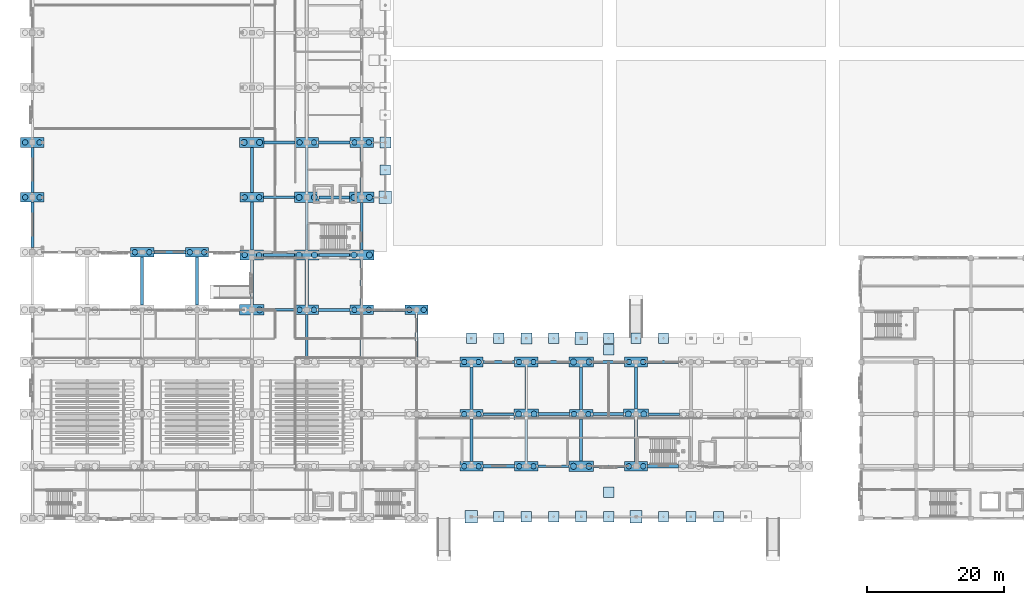
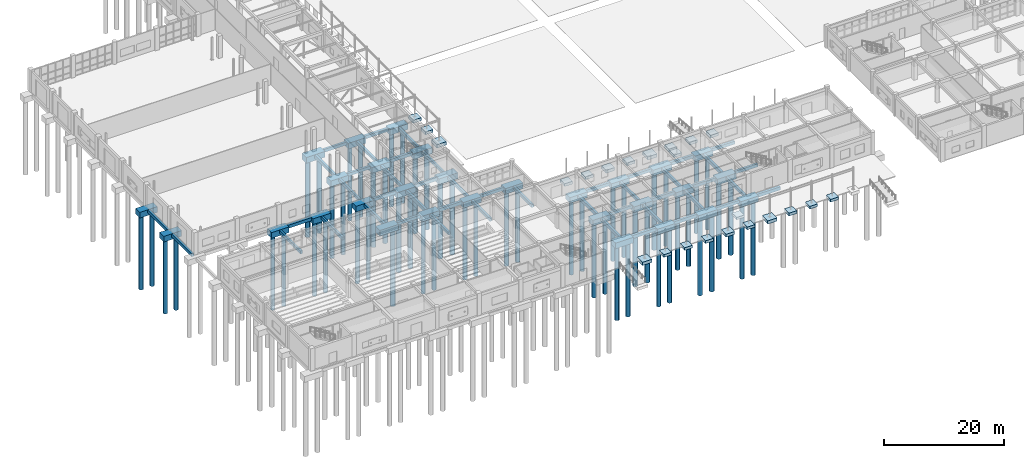
# One storey, part 2 of 166: 98 footings, 57 piles.
"""IFC4 building model written with IfcOpenShell, lengths in metres."""

from ifc_helpers import new_model, si_unit, direction, frame, origin, origin_2d, place, context, subcontext, project, spatial, rectangle, circle, extrude, material, material_profile, profile_set, type_object, element, save


model = new_model("IFC4")

# Units and contexts
model_context = context("Model", 3, precision=1e-05, world=origin(), true_north=direction((0.0, 1.0)))
body_context = subcontext(model_context, "Body", "Model", "MODEL_VIEW")
ifc_project = project(units=[si_unit("LENGTHUNIT", "METRE"), si_unit("AREAUNIT", "SQUARE_METRE"), si_unit("VOLUMEUNIT", "CUBIC_METRE"), si_unit("PLANEANGLEUNIT", "RADIAN"), si_unit("MASSUNIT", "GRAM", prefix="KILO")], contexts=[model_context])

# Site, building, storey
site_placement = place(None, origin())
site = spatial("IfcSite", under=ifc_project, at=site_placement, CompositionType="ELEMENT")
building_placement = place(site_placement, origin())
building = spatial("IfcBuilding", under=site, at=building_placement, Name="Kharva Crest Polytechnic", CompositionType="ELEMENT")
storey_placement = place(building_placement, origin())
storey = spatial("IfcBuildingStorey", under=building, at=storey_placement, Name="L00", CompositionType="ELEMENT", Elevation=0.0)

# Footings
ifc_material = material(Name="Concrete C35/45", Category="concrete")
footing_type_1 = type_object("IfcFootingType", Name="FTG-GB-400X600", PredefinedType="FOOTING_BEAM", material=ifc_material)
for number, where, z_axis, x_axis, name in (
    (1, (84.050048828125, 7.60009765625, -1.005126953125), (0.0, 0.0, 1.0), (1.0, 0.0, 0.0), "L00 Ground Tie Beam B/11-12"),
    (2, (67.949951171875, 15.199951171875, -1.005126953125), (0.0, 0.0, 1.0), (1.0, 0.0, 0.0), "L00 Ground Tie Beam C/9-10"),
    (3, (92.050048828125, 15.199951171875, -1.005126953125), (0.0, 0.0, 1.0), (1.0, 0.0, 0.0), "L00 Ground Tie Beam C/12-13"),
    (4, (75.949951171875, 22.800048828125, -1.005126953125), (0.0, 0.0, 1.0), (1.0, 0.0, 0.0), "L00 Ground Tie Beam D/10-11"),
    (5, (36.050048828125, 30.39990234375, -1.005126953125), (0.0, 0.0, 1.0), (1.0, 0.0, 0.0), "L00 Ground Tie Beam E/5-6"),
    (6, (35.949951171875, 38.39990234375, -1.005126953125), (0.0, 0.0, 1.0), (1.0, 0.0, 0.0), "L00 Ground Tie Beam F/5-6"),
    (7, (35.949951171875, 46.800048828125, -1.005126953125), (0.0, 0.0, 1.0), (1.0, 0.0, 0.0), "L00 Ground Tie Beam G/5-6"),
    (8, (36.050048828125, 54.800048828125, -1.005126953125), (0.0, 0.0, 1.0), (1.0, 0.0, 0.0), "L00 Ground Tie Beam H/5-6"),
):
    element("IfcFooting", number, at=place(storey_placement, frame(where, z_axis=z_axis, x_axis=x_axis)), inside=storey, type_object=footing_type_1, Name=name, PredefinedType="FOOTING_BEAM", context=body_context, shape_type="SweptSolid", body=[
        extrude(rectangle(XDim=4.5, YDim=0.39990234375, at=origin_2d()), origin(), (0.0, 0.0, 1.0), 0.60009765625),
    ])
for number, where, z_axis, x_axis, name in (
    (9, (16.0, 34.60009765625, -1.005126953125), (0.0, 0.0, 1.0), (0.0, 1.0, 0.0), "L00 Ground Tie Beam 3/E-FJ"),
    (10, (24.0, 34.60009765625, -1.005126953125), (0.0, 0.0, 1.0), (0.0, 1.0, 0.0), "L00 Ground Tie Beam 4/E-FJ"),
    (11, (32.0, 42.60009765625, -1.005126953125), (0.0, 0.0, 1.0), (0.0, 1.0, 0.0), "L00 Ground Tie Beam 5/F-G"),
):
    element("IfcFooting", number, at=place(storey_placement, frame(where, z_axis=z_axis, x_axis=x_axis)), inside=storey, type_object=footing_type_1, Name=name, PredefinedType="FOOTING_BEAM", context=body_context, shape_type="SweptSolid", body=[
        extrude(rectangle(XDim=7.0, YDim=0.39990234375, at=origin_2d()), origin(), (0.0, 0.0, 1.0), 0.60009765625),
    ])
footing_1_placement = place(storey_placement, frame((40.0, 26.625, -1.005126953125), z_axis=(0.0, 0.0, 1.0), x_axis=(0.0, 1.0, 0.0)))
element("IfcFooting", 12, at=footing_1_placement, inside=storey, type_object=footing_type_1, Name="L00 Ground Tie Beam 6/D-E", PredefinedType="FOOTING_BEAM", context=body_context, shape_type="SweptSolid", body=[
    extrude(rectangle(XDim=6.14990234375, YDim=0.39990234375, at=origin_2d()), origin(), (0.0, 0.0, 1.0), 0.60009765625),
])
footing_2_placement = place(storey_placement, frame((40.0, 50.824951171875, -1.005126953125), z_axis=(0.0, 0.0, 1.0), x_axis=(0.0, 1.0, 0.0)))
element("IfcFooting", 13, at=footing_2_placement, inside=storey, type_object=footing_type_1, Name="L00 Ground Tie Beam 6/G-H", PredefinedType="FOOTING_BEAM", context=body_context, shape_type="SweptSolid", body=[
    extrude(rectangle(XDim=6.550048828125, YDim=0.39990234375, at=origin_2d()), origin(), (0.0, 0.0, 1.0), 0.60009765625),
])
footing_3_placement = place(storey_placement, frame((48.0, 42.60009765625, -1.005126953125), z_axis=(0.0, 0.0, 1.0), x_axis=(0.0, 1.0, 0.0)))
element("IfcFooting", 14, at=footing_3_placement, inside=storey, type_object=footing_type_1, Name="L00 Ground Tie Beam 7/F-G", PredefinedType="FOOTING_BEAM", context=body_context, shape_type="SweptSolid", body=[
    extrude(rectangle(XDim=6.89990234375, YDim=0.39990234375, at=origin_2d()), origin(), (0.0, 0.0, 1.0), 0.60009765625),
])
footing_4_placement = place(storey_placement, frame((64.0, 11.39990234375, -1.005126953125), z_axis=(0.0, 0.0, 1.0), x_axis=(0.0, 1.0, 0.0)))
element("IfcFooting", 15, at=footing_4_placement, inside=storey, type_object=footing_type_1, Name="L00 Ground Tie Beam 9/B-C", PredefinedType="FOOTING_BEAM", context=body_context, shape_type="SweptSolid", body=[
    extrude(rectangle(XDim=6.199951171875, YDim=0.39990234375, at=origin_2d()), origin(), (0.0, 0.0, 1.0), 0.60009765625),
])
for number, where, z_axis, x_axis, name in (
    (16, (72.0, 19.02490234375, -1.005126953125), (0.0, 0.0, 1.0), (0.0, 1.0, 0.0), "L00 Ground Tie Beam 10/C-D"),
    (17, (88.0, 11.375, -1.005126953125), (0.0, 0.0, 1.0), (0.0, 1.0, 0.0), "L00 Ground Tie Beam 12/B-C"),
):
    element("IfcFooting", number, at=place(storey_placement, frame(where, z_axis=z_axis, x_axis=x_axis)), inside=storey, type_object=footing_type_1, Name=name, PredefinedType="FOOTING_BEAM", context=body_context, shape_type="SweptSolid", body=[
        extrude(rectangle(XDim=6.14990234375, YDim=0.39990234375, at=origin_2d()), origin(), (0.0, 0.0, 1.0), 0.60009765625),
    ])
footing_type_2 = type_object("IfcFootingType", Name="FTG-GB-420X620", PredefinedType="FOOTING_BEAM", material=ifc_material)
for number, where, z_axis, x_axis, name in (
    (18, (75.949951171875, 7.60009765625, -1.025146484375), (0.0, 0.0, 1.0), (1.0, 0.0, 0.0), "L00 Ground Tie Beam B/10-11"),
    (19, (83.949951171875, 15.199951171875, -1.025146484375), (0.0, 0.0, 1.0), (1.0, 0.0, 0.0), "L00 Ground Tie Beam C/11-12"),
):
    element("IfcFooting", number, at=place(storey_placement, frame(where, z_axis=z_axis, x_axis=x_axis)), inside=storey, type_object=footing_type_2, Name=name, PredefinedType="FOOTING_BEAM", context=body_context, shape_type="SweptSolid", body=[
        extrude(rectangle(XDim=4.5, YDim=0.419921875, at=origin_2d()), origin(), (0.0, 0.0, 1.0), 0.6201171875),
    ])
footing_5_placement = place(storey_placement, frame((68.0, 22.800048828125, -1.025146484375), z_axis=(0.0, 0.0, 1.0), x_axis=(1.0, 0.0, 0.0)))
element("IfcFooting", 20, at=footing_5_placement, inside=storey, type_object=footing_type_2, Name="L00 Ground Tie Beam D/9-10", PredefinedType="FOOTING_BEAM", context=body_context, shape_type="SweptSolid", body=[
    extrude(rectangle(XDim=4.60009765625, YDim=0.419921875, at=origin_2d()), origin(), (0.0, 0.0, 1.0), 0.6201171875),
])
footing_6_placement = place(storey_placement, frame((91.949951171875, 22.800048828125, -1.025146484375), z_axis=(0.0, 0.0, 1.0), x_axis=(1.0, 0.0, 0.0)))
element("IfcFooting", 21, at=footing_6_placement, inside=storey, type_object=footing_type_2, Name="L00 Ground Tie Beam D/12-13", PredefinedType="FOOTING_BEAM", context=body_context, shape_type="SweptSolid", body=[
    extrude(rectangle(XDim=4.5, YDim=0.419921875, at=origin_2d()), origin(), (0.0, 0.0, 1.0), 0.6201171875),
])
footing_7_placement = place(storey_placement, frame((52.0, 30.39990234375, -1.025146484375), z_axis=(0.0, 0.0, 1.0), x_axis=(1.0, 0.0, 0.0)))
element("IfcFooting", 22, at=footing_7_placement, inside=storey, type_object=footing_type_2, Name="L00 Ground Tie Beam E/7-8", PredefinedType="FOOTING_BEAM", context=body_context, shape_type="SweptSolid", body=[
    extrude(rectangle(XDim=4.60009765625, YDim=0.419921875, at=origin_2d()), origin(), (0.0, 0.0, 1.0), 0.6201171875),
])
footing_8_placement = place(storey_placement, frame((0.0, 50.800048828125, -1.025146484375), z_axis=(0.0, 0.0, 1.0), x_axis=(0.0, 1.0, 0.0)))
element("IfcFooting", 23, at=footing_8_placement, inside=storey, type_object=footing_type_2, Name="L00 Ground Tie Beam 1/G-H", PredefinedType="FOOTING_BEAM", context=body_context, shape_type="SweptSolid", body=[
    extrude(rectangle(XDim=6.60009765625, YDim=0.419921875, at=origin_2d()), origin(), (0.0, 0.0, 1.0), 0.6201171875),
])
footing_9_placement = place(storey_placement, frame((32.0, 34.425048828125, -1.025146484375), z_axis=(0.0, 0.0, 1.0), x_axis=(0.0, 1.0, 0.0)))
element("IfcFooting", 24, at=footing_9_placement, inside=storey, type_object=footing_type_2, Name="L00 Ground Tie Beam 5/E-F", PredefinedType="FOOTING_BEAM", context=body_context, shape_type="SweptSolid", body=[
    extrude(rectangle(XDim=6.550048828125, YDim=0.419921875, at=origin_2d()), origin(), (0.0, 0.0, 1.0), 0.6201171875),
])
footing_10_placement = place(storey_placement, frame((40.0, 42.60009765625, -1.025146484375), z_axis=(0.0, 0.0, 1.0), x_axis=(0.0, 1.0, 0.0)))
element("IfcFooting", 25, at=footing_10_placement, inside=storey, type_object=footing_type_2, Name="L00 Ground Tie Beam 6/F-G", PredefinedType="FOOTING_BEAM", context=body_context, shape_type="SweptSolid", body=[
    extrude(rectangle(XDim=6.89990234375, YDim=0.419921875, at=origin_2d()), origin(), (0.0, 0.0, 1.0), 0.6201171875),
])
footing_11_placement = place(storey_placement, frame((48.0, 34.375, -1.025146484375), z_axis=(0.0, 0.0, 1.0), x_axis=(0.0, 1.0, 0.0)))
element("IfcFooting", 26, at=footing_11_placement, inside=storey, type_object=footing_type_2, Name="L00 Ground Tie Beam 7/E-F", PredefinedType="FOOTING_BEAM", context=body_context, shape_type="SweptSolid", body=[
    extrude(rectangle(XDim=6.550048828125, YDim=0.419921875, at=origin_2d()), origin(), (0.0, 0.0, 1.0), 0.6201171875),
])
for number, where, z_axis, x_axis, name in (
    (27, (56.0, 26.625, -1.025146484375), (0.0, 0.0, 1.0), (0.0, 1.0, 0.0), "L00 Ground Tie Beam 8/D-E"),
    (28, (72.0, 11.375, -1.025146484375), (0.0, 0.0, 1.0), (0.0, 1.0, 0.0), "L00 Ground Tie Beam 10/B-C"),
    (29, (80.0, 18.97509765625, -1.025146484375), (0.0, 0.0, 1.0), (0.0, 1.0, 0.0), "L00 Ground Tie Beam 11/C-D"),
):
    element("IfcFooting", number, at=place(storey_placement, frame(where, z_axis=z_axis, x_axis=x_axis)), inside=storey, type_object=footing_type_2, Name=name, PredefinedType="FOOTING_BEAM", context=body_context, shape_type="SweptSolid", body=[
        extrude(rectangle(XDim=6.14990234375, YDim=0.419921875, at=origin_2d()), origin(), (0.0, 0.0, 1.0), 0.6201171875),
    ])
footing_type_3 = type_object("IfcFootingType", Name="FTG-GB-450X650", PredefinedType="FOOTING_BEAM", material=ifc_material)
footing_12_placement = place(storey_placement, frame((68.0, 7.60009765625, -1.054931640625), z_axis=(0.0, 0.0, 1.0), x_axis=(1.0, 0.0, 0.0)))
element("IfcFooting", 30, at=footing_12_placement, inside=storey, type_object=footing_type_3, Name="L00 Ground Tie Beam B/9-10", PredefinedType="FOOTING_BEAM", context=body_context, shape_type="SweptSolid", body=[
    extrude(rectangle(XDim=4.60009765625, YDim=0.449951171875, at=origin_2d()), origin(), (0.0, 0.0, 1.0), 0.64990234375),
])
for number, where, z_axis, x_axis, name in (
    (31, (91.949951171875, 7.60009765625, -1.054931640625), (0.0, 0.0, 1.0), (1.0, 0.0, 0.0), "L00 Ground Tie Beam B/12-13"),
    (32, (76.050048828125, 15.199951171875, -1.054931640625), (0.0, 0.0, 1.0), (1.0, 0.0, 0.0), "L00 Ground Tie Beam C/10-11"),
    (33, (84.050048828125, 22.800048828125, -1.054931640625), (0.0, 0.0, 1.0), (1.0, 0.0, 0.0), "L00 Ground Tie Beam D/11-12"),
):
    element("IfcFooting", number, at=place(storey_placement, frame(where, z_axis=z_axis, x_axis=x_axis)), inside=storey, type_object=footing_type_3, Name=name, PredefinedType="FOOTING_BEAM", context=body_context, shape_type="SweptSolid", body=[
        extrude(rectangle(XDim=4.5, YDim=0.449951171875, at=origin_2d()), origin(), (0.0, 0.0, 1.0), 0.64990234375),
    ])
footing_13_placement = place(storey_placement, frame((44.0, 30.39990234375, -1.054931640625), z_axis=(0.0, 0.0, 1.0), x_axis=(1.0, 0.0, 0.0)))
element("IfcFooting", 34, at=footing_13_placement, inside=storey, type_object=footing_type_3, Name="L00 Ground Tie Beam E/6-7", PredefinedType="FOOTING_BEAM", context=body_context, shape_type="SweptSolid", body=[
    extrude(rectangle(XDim=4.60009765625, YDim=0.449951171875, at=origin_2d()), origin(), (0.0, 0.0, 1.0), 0.64990234375),
])
footing_14_placement = place(storey_placement, frame((44.0, 38.39990234375, -1.054931640625), z_axis=(0.0, 0.0, 1.0), x_axis=(1.0, 0.0, 0.0)))
element("IfcFooting", 35, at=footing_14_placement, inside=storey, type_object=footing_type_3, Name="L00 Ground Tie Beam F/6-7", PredefinedType="FOOTING_BEAM", context=body_context, shape_type="SweptSolid", body=[
    extrude(rectangle(XDim=4.39990234375, YDim=0.449951171875, at=origin_2d()), origin(), (0.0, 0.0, 1.0), 0.64990234375),
])
footing_15_placement = place(storey_placement, frame((20.0, 38.800048828125, -1.054931640625), z_axis=(0.0, 0.0, 1.0), x_axis=(1.0, 0.0, 0.0)))
element("IfcFooting", 36, at=footing_15_placement, inside=storey, type_object=footing_type_3, Name="L00 Ground Tie Beam FJ/3-4", PredefinedType="FOOTING_BEAM", context=body_context, shape_type="SweptSolid", body=[
    extrude(rectangle(XDim=4.60009765625, YDim=0.449951171875, at=origin_2d()), origin(), (0.0, 0.0, 1.0), 0.64990234375),
])
footing_16_placement = place(storey_placement, frame((44.0, 46.800048828125, -1.054931640625), z_axis=(0.0, 0.0, 1.0), x_axis=(1.0, 0.0, 0.0)))
element("IfcFooting", 37, at=footing_16_placement, inside=storey, type_object=footing_type_3, Name="L00 Ground Tie Beam G/6-7", PredefinedType="FOOTING_BEAM", context=body_context, shape_type="SweptSolid", body=[
    extrude(rectangle(XDim=4.39990234375, YDim=0.449951171875, at=origin_2d()), origin(), (0.0, 0.0, 1.0), 0.64990234375),
])
footing_17_placement = place(storey_placement, frame((44.0, 54.800048828125, -1.054931640625), z_axis=(0.0, 0.0, 1.0), x_axis=(1.0, 0.0, 0.0)))
element("IfcFooting", 38, at=footing_17_placement, inside=storey, type_object=footing_type_3, Name="L00 Ground Tie Beam H/6-7", PredefinedType="FOOTING_BEAM", context=body_context, shape_type="SweptSolid", body=[
    extrude(rectangle(XDim=4.60009765625, YDim=0.449951171875, at=origin_2d()), origin(), (0.0, 0.0, 1.0), 0.64990234375),
])
footing_18_placement = place(storey_placement, frame((0.0, 42.800048828125, -1.054931640625), z_axis=(0.0, 0.0, 1.0), x_axis=(0.0, 1.0, 0.0)))
element("IfcFooting", 39, at=footing_18_placement, inside=storey, type_object=footing_type_3, Name="L00 Ground Tie Beam 1/FJ-G", PredefinedType="FOOTING_BEAM", context=body_context, shape_type="SweptSolid", body=[
    extrude(rectangle(XDim=6.60009765625, YDim=0.449951171875, at=origin_2d()), origin(), (0.0, 0.0, 1.0), 0.64990234375),
])
for number, where, z_axis, x_axis, name in (
    (40, (32.0, 50.77490234375, -1.054931640625), (0.0, 0.0, 1.0), (0.0, 1.0, 0.0), "L00 Ground Tie Beam 5/G-H"),
    (41, (40.0, 34.375, -1.054931640625), (0.0, 0.0, 1.0), (0.0, 1.0, 0.0), "L00 Ground Tie Beam 6/E-F"),
):
    element("IfcFooting", number, at=place(storey_placement, frame(where, z_axis=z_axis, x_axis=x_axis)), inside=storey, type_object=footing_type_3, Name=name, PredefinedType="FOOTING_BEAM", context=body_context, shape_type="SweptSolid", body=[
        extrude(rectangle(XDim=6.550048828125, YDim=0.449951171875, at=origin_2d()), origin(), (0.0, 0.0, 1.0), 0.64990234375),
    ])
footing_19_placement = place(storey_placement, frame((48.0, 26.625, -1.054931640625), z_axis=(0.0, 0.0, 1.0), x_axis=(0.0, 1.0, 0.0)))
element("IfcFooting", 42, at=footing_19_placement, inside=storey, type_object=footing_type_3, Name="L00 Ground Tie Beam 7/D-E", PredefinedType="FOOTING_BEAM", context=body_context, shape_type="SweptSolid", body=[
    extrude(rectangle(XDim=6.14990234375, YDim=0.449951171875, at=origin_2d()), origin(), (0.0, 0.0, 1.0), 0.64990234375),
])
footing_20_placement = place(storey_placement, frame((48.0, 50.824951171875, -1.054931640625), z_axis=(0.0, 0.0, 1.0), x_axis=(0.0, 1.0, 0.0)))
element("IfcFooting", 43, at=footing_20_placement, inside=storey, type_object=footing_type_3, Name="L00 Ground Tie Beam 7/G-H", PredefinedType="FOOTING_BEAM", context=body_context, shape_type="SweptSolid", body=[
    extrude(rectangle(XDim=6.550048828125, YDim=0.449951171875, at=origin_2d()), origin(), (0.0, 0.0, 1.0), 0.64990234375),
])
footing_21_placement = place(storey_placement, frame((64.0, 19.0, -1.054931640625), z_axis=(0.0, 0.0, 1.0), x_axis=(0.0, 1.0, 0.0)))
element("IfcFooting", 44, at=footing_21_placement, inside=storey, type_object=footing_type_3, Name="L00 Ground Tie Beam 9/C-D", PredefinedType="FOOTING_BEAM", context=body_context, shape_type="SweptSolid", body=[
    extrude(rectangle(XDim=6.199951171875, YDim=0.449951171875, at=origin_2d()), origin(), (0.0, 0.0, 1.0), 0.64990234375),
])
for number, where, z_axis, x_axis, name in (
    (45, (80.0, 11.425048828125, -1.054931640625), (0.0, 0.0, 1.0), (0.0, 1.0, 0.0), "L00 Ground Tie Beam 11/B-C"),
    (46, (88.0, 19.02490234375, -1.054931640625), (0.0, 0.0, 1.0), (0.0, 1.0, 0.0), "L00 Ground Tie Beam 12/C-D"),
):
    element("IfcFooting", number, at=place(storey_placement, frame(where, z_axis=z_axis, x_axis=x_axis)), inside=storey, type_object=footing_type_3, Name=name, PredefinedType="FOOTING_BEAM", context=body_context, shape_type="SweptSolid", body=[
        extrude(rectangle(XDim=6.14990234375, YDim=0.449951171875, at=origin_2d()), origin(), (0.0, 0.0, 1.0), 0.64990234375),
    ])
footing_type_4 = type_object("IfcFootingType", Name="FTG-PAD-1500X1500", PredefinedType="PAD_FOOTING", material=ifc_material)
for number, where, z_axis, x_axis, name in (
    (47, (64.0, 26.25, -0.5498046875), (0.0, 0.0, 1.0), (1.0, 0.0, 0.0), "L00 Colonnade Pad Footing VS01"),
    (48, (72.0, 0.25, -0.5498046875), (0.0, 0.0, 1.0), (1.0, 0.0, 0.0), "L00 Colonnade Pad Footing AS02"),
    (49, (88.0, 26.25, -0.5498046875), (0.0, 0.0, 1.0), (1.0, 0.0, 0.0), "L00 Colonnade Pad Footing VS04"),
    (50, (96.0, 0.25, -0.5498046875), (0.0, 0.0, 1.0), (1.0, 0.0, 0.0), "L00 Colonnade Pad Footing AS05"),
    (51, (51.449951171875, 50.800048828125, -0.5498046875), (0.0, 0.0, 1.0), (1.0, 0.0, 0.0), "L00 Colonnade Mid Pad Footing VWM01"),
    (52, (68.0, 26.25, -0.5498046875), (0.0, 0.0, 1.0), (1.0, 0.0, 0.0), "L00 Colonnade Mid Pad Footing VSM01"),
    (53, (68.0, 0.25, -0.5498046875), (0.0, 0.0, 1.0), (1.0, 0.0, 0.0), "L00 Colonnade Mid Pad Footing ASM01"),
    (54, (76.0, 26.25, -0.5498046875), (0.0, 0.0, 1.0), (1.0, 0.0, 0.0), "L00 Colonnade Mid Pad Footing VSM02"),
    (55, (76.0, 0.25, -0.5498046875), (0.0, 0.0, 1.0), (1.0, 0.0, 0.0), "L00 Colonnade Mid Pad Footing ASM02"),
    (56, (84.0, 26.25, -0.5498046875), (0.0, 0.0, 1.0), (1.0, 0.0, 0.0), "L00 Colonnade Mid Pad Footing VSM03"),
    (57, (84.0, 0.25, -0.5498046875), (0.0, 0.0, 1.0), (1.0, 0.0, 0.0), "L00 Colonnade Mid Pad Footing ASM03"),
    (58, (92.0, 26.25, -0.5498046875), (0.0, 0.0, 1.0), (1.0, 0.0, 0.0), "L00 Colonnade Mid Pad Footing VSM04"),
    (59, (92.0, 0.25, -0.5498046875), (0.0, 0.0, 1.0), (1.0, 0.0, 0.0), "L00 Colonnade Mid Pad Footing ASM04"),
    (60, (100.0, 0.25, -0.5498046875), (0.0, 0.0, 1.0), (1.0, 0.0, 0.0), "L00 Colonnade Mid Pad Footing ASM05"),
):
    element("IfcFooting", number, at=place(storey_placement, frame(where, z_axis=z_axis, x_axis=x_axis)), inside=storey, type_object=footing_type_4, Name=name, PredefinedType="PAD_FOOTING", context=body_context, shape_type="SweptSolid", body=[
        extrude(rectangle(XDim=1.5, YDim=1.5, at=origin_2d()), origin(), (0.0, 0.0, 1.0), 0.550048828125),
    ])
for number, where, z_axis, x_axis, name in (
    (61, (84.0, 3.800048828125, -0.699951171875), (0.0, 0.0, 1.0), (1.0, 0.0, 0.0), "L00 Outdoor Slab Mid Pad ARC_S_L00"),
    (62, (84.0, 24.60009765625, -0.699951171875), (0.0, 0.0, 1.0), (1.0, 0.0, 0.0), "L00 Outdoor Slab Mid Pad VER_S_L00"),
):
    element("IfcFooting", number, at=place(storey_placement, frame(where, z_axis=z_axis, x_axis=x_axis)), inside=storey, type_object=footing_type_4, Name=name, PredefinedType="PAD_FOOTING", context=body_context, shape_type="SweptSolid", body=[
        extrude(rectangle(XDim=1.5, YDim=1.5, at=origin_2d()), origin(), (0.0, 0.0, 1.0), 0.5),
    ])
footing_type_5 = type_object("IfcFootingType", Name="FTG-PAD-1600X1600", PredefinedType="PAD_FOOTING", material=ifc_material)
for number, where, z_axis, x_axis, name in (
    (63, (51.449951171875, 54.800048828125, -0.60009765625), (0.0, 0.0, 1.0), (1.0, 0.0, 0.0), "L00 Colonnade Pad Footing VW02"),
    (64, (72.0, 26.25, -0.60009765625), (0.0, 0.0, 1.0), (1.0, 0.0, 0.0), "L00 Colonnade Pad Footing VS02"),
    (65, (80.0, 0.25, -0.60009765625), (0.0, 0.0, 1.0), (1.0, 0.0, 0.0), "L00 Colonnade Pad Footing AS03"),
):
    element("IfcFooting", number, at=place(storey_placement, frame(where, z_axis=z_axis, x_axis=x_axis)), inside=storey, type_object=footing_type_5, Name=name, PredefinedType="PAD_FOOTING", context=body_context, shape_type="SweptSolid", body=[
        extrude(rectangle(XDim=1.60009765625, YDim=1.60009765625, at=origin_2d()), origin(), (0.0, 0.0, 1.0), 0.60009765625),
    ])
footing_type_6 = type_object("IfcFootingType", Name="FTG-PAD-1800X1800", PredefinedType="PAD_FOOTING", material=ifc_material)
for number, where, z_axis, x_axis, name in (
    (66, (51.449951171875, 46.800048828125, -0.64990234375), (0.0, 0.0, 1.0), (1.0, 0.0, 0.0), "L00 Colonnade Pad Footing VW01"),
    (67, (64.0, 0.25, -0.64990234375), (0.0, 0.0, 1.0), (1.0, 0.0, 0.0), "L00 Colonnade Pad Footing AS01"),
    (68, (80.0, 26.25, -0.64990234375), (0.0, 0.0, 1.0), (1.0, 0.0, 0.0), "L00 Colonnade Pad Footing VS03"),
    (69, (88.0, 0.25, -0.64990234375), (0.0, 0.0, 1.0), (1.0, 0.0, 0.0), "L00 Colonnade Pad Footing AS04"),
):
    element("IfcFooting", number, at=place(storey_placement, frame(where, z_axis=z_axis, x_axis=x_axis)), inside=storey, type_object=footing_type_6, Name=name, PredefinedType="PAD_FOOTING", context=body_context, shape_type="SweptSolid", body=[
        extrude(rectangle(XDim=1.800048828125, YDim=1.800048828125, at=origin_2d()), origin(), (0.0, 0.0, 1.0), 0.64990234375),
    ])
footing_type_7 = type_object("IfcFootingType", Name="FTG-PC-3400X1400", PredefinedType="PILE_CAP", material=ifc_material)
for number, where, z_axis, x_axis, name in (
    (70, (0.0, 46.800048828125, -1.554931640625), (0.0, 0.0, 1.0), (1.0, 0.0, 0.0), "L00 Pile Cap 1/G"),
    (71, (0.0, 54.800048828125, -1.554931640625), (0.0, 0.0, 1.0), (1.0, 0.0, 0.0), "L00 Pile Cap 1/H"),
    (72, (72.0, 7.60009765625, -1.554931640625), (0.0, 0.0, 1.0), (1.0, 0.0, 0.0), "L00 Pile Cap 10/B"),
    (73, (72.0, 22.800048828125, -1.554931640625), (0.0, 0.0, 1.0), (1.0, 0.0, 0.0), "L00 Pile Cap 10/D"),
    (74, (80.0, 15.199951171875, -1.554931640625), (0.0, 0.0, 1.0), (1.0, 0.0, 0.0), "L00 Pile Cap 11/C"),
    (75, (88.0, 7.60009765625, -1.554931640625), (0.0, 0.0, 1.0), (1.0, 0.0, 0.0), "L00 Pile Cap 12/B"),
    (76, (88.0, 22.800048828125, -1.554931640625), (0.0, 0.0, 1.0), (1.0, 0.0, 0.0), "L00 Pile Cap 12/D"),
    (77, (16.0, 38.800048828125, -1.554931640625), (0.0, 0.0, 1.0), (1.0, 0.0, 0.0), "L00 Pile Cap 3/FJ"),
    (78, (24.0, 38.800048828125, -1.554931640625), (0.0, 0.0, 1.0), (1.0, 0.0, 0.0), "L00 Pile Cap 4/FJ"),
    (79, (32.0, 38.39990234375, -1.554931640625), (0.0, 0.0, 1.0), (1.0, 0.0, 0.0), "L00 Pile Cap 5/F"),
    (80, (32.0, 46.800048828125, -1.554931640625), (0.0, 0.0, 1.0), (1.0, 0.0, 0.0), "L00 Pile Cap 5/G"),
    (81, (40.0, 30.39990234375, -1.554931640625), (0.0, 0.0, 1.0), (1.0, 0.0, 0.0), "L00 Pile Cap 6/E"),
    (82, (40.0, 54.800048828125, -1.554931640625), (0.0, 0.0, 1.0), (1.0, 0.0, 0.0), "L00 Pile Cap 6/H"),
    (83, (48.0, 30.39990234375, -1.554931640625), (0.0, 0.0, 1.0), (1.0, 0.0, 0.0), "L00 Pile Cap 7/E"),
    (84, (48.0, 54.800048828125, -1.554931640625), (0.0, 0.0, 1.0), (1.0, 0.0, 0.0), "L00 Pile Cap 7/H"),
    (85, (56.0, 30.39990234375, -1.554931640625), (0.0, 0.0, 1.0), (1.0, 0.0, 0.0), "L00 Pile Cap 8/E"),
    (86, (64.0, 7.60009765625, -1.554931640625), (0.0, 0.0, 1.0), (1.0, 0.0, 0.0), "L00 Pile Cap 9/B"),
    (87, (64.0, 15.199951171875, -1.554931640625), (0.0, 0.0, 1.0), (1.0, 0.0, 0.0), "L00 Pile Cap 9/C"),
    (88, (64.0, 22.800048828125, -1.554931640625), (0.0, 0.0, 1.0), (1.0, 0.0, 0.0), "L00 Pile Cap 9/D"),
):
    element("IfcFooting", number, at=place(storey_placement, frame(where, z_axis=z_axis, x_axis=x_axis)), inside=storey, type_object=footing_type_7, Name=name, PredefinedType="PILE_CAP", context=body_context, shape_type="SweptSolid", body=[
        extrude(rectangle(XDim=3.39990234375, YDim=1.39990234375, at=origin_2d()), origin(), (0.0, 0.0, 1.0), 1.14990234375),
    ])
footing_type_8 = type_object("IfcFootingType", Name="FTG-PC-3600X1500", PredefinedType="PILE_CAP", material=ifc_material)
for number, where, z_axis, x_axis, name in (
    (89, (72.0, 15.199951171875, -1.60498046875), (0.0, 0.0, 1.0), (1.0, 0.0, 0.0), "L00 Pile Cap 10/C"),
    (90, (80.0, 7.60009765625, -1.60498046875), (0.0, 0.0, 1.0), (1.0, 0.0, 0.0), "L00 Pile Cap 11/B"),
    (91, (80.0, 22.800048828125, -1.60498046875), (0.0, 0.0, 1.0), (1.0, 0.0, 0.0), "L00 Pile Cap 11/D"),
    (92, (88.0, 15.199951171875, -1.60498046875), (0.0, 0.0, 1.0), (1.0, 0.0, 0.0), "L00 Pile Cap 12/C"),
    (93, (32.0, 30.39990234375, -1.60498046875), (0.0, 0.0, 1.0), (1.0, 0.0, 0.0), "L00 Pile Cap 5/E"),
    (94, (32.0, 54.800048828125, -1.60498046875), (0.0, 0.0, 1.0), (1.0, 0.0, 0.0), "L00 Pile Cap 5/H"),
    (95, (40.0, 38.39990234375, -1.60498046875), (0.0, 0.0, 1.0), (1.0, 0.0, 0.0), "L00 Pile Cap 6/F"),
    (96, (40.0, 46.800048828125, -1.60498046875), (0.0, 0.0, 1.0), (1.0, 0.0, 0.0), "L00 Pile Cap 6/G"),
    (97, (48.0, 38.39990234375, -1.60498046875), (0.0, 0.0, 1.0), (1.0, 0.0, 0.0), "L00 Pile Cap 7/F"),
    (98, (48.0, 46.800048828125, -1.60498046875), (0.0, 0.0, 1.0), (1.0, 0.0, 0.0), "L00 Pile Cap 7/G"),
):
    element("IfcFooting", number, at=place(storey_placement, frame(where, z_axis=z_axis, x_axis=x_axis)), inside=storey, type_object=footing_type_8, Name=name, PredefinedType="PILE_CAP", context=body_context, shape_type="SweptSolid", body=[
        extrude(rectangle(XDim=3.60009765625, YDim=1.5, at=origin_2d()), origin(), (0.0, 0.0, 1.0), 1.199951171875),
    ])

# Piles
ifc_material_profile_1 = material_profile(ifc_material, circle(Radius=0.39990234375, at=origin_2d()), Name="DIA 800")
ifc_profile_set_1 = profile_set([ifc_material_profile_1], Name="Concrete C35/45")
pile_type_1 = type_object("IfcPileType", Name="PILE-BORED-800", PredefinedType="BORED", material=ifc_profile_set_1)
for number, where, z_axis, x_axis, name in (
    (99, (-1.050048828125, 46.800048828125, -1.455078125), (0.0, 0.0, -1.0), (1.0, 0.0, 0.0), "L00 Bored Pile 1/G-1"),
    (100, (1.050048828125, 46.800048828125, -1.455078125), (0.0, 0.0, -1.0), (1.0, 0.0, 0.0), "L00 Bored Pile 1/G-2"),
    (101, (-1.050048828125, 54.800048828125, -1.455078125), (0.0, 0.0, -1.0), (1.0, 0.0, 0.0), "L00 Bored Pile 1/H-1"),
    (102, (1.050048828125, 54.800048828125, -1.455078125), (0.0, 0.0, -1.0), (1.0, 0.0, 0.0), "L00 Bored Pile 1/H-2"),
    (103, (70.949951171875, 7.60009765625, -1.455078125), (0.0, 0.0, -1.0), (1.0, 0.0, 0.0), "L00 Bored Pile 10/B-1"),
    (104, (73.050048828125, 7.60009765625, -1.455078125), (0.0, 0.0, -1.0), (1.0, 0.0, 0.0), "L00 Bored Pile 10/B-2"),
    (105, (70.949951171875, 22.800048828125, -1.455078125), (0.0, 0.0, -1.0), (1.0, 0.0, 0.0), "L00 Bored Pile 10/D-1"),
    (106, (73.050048828125, 22.800048828125, -1.455078125), (0.0, 0.0, -1.0), (1.0, 0.0, 0.0), "L00 Bored Pile 10/D-2"),
    (107, (78.949951171875, 15.199951171875, -1.455078125), (0.0, 0.0, -1.0), (1.0, 0.0, 0.0), "L00 Bored Pile 11/C-1"),
    (108, (81.050048828125, 15.199951171875, -1.455078125), (0.0, 0.0, -1.0), (1.0, 0.0, 0.0), "L00 Bored Pile 11/C-2"),
    (109, (86.949951171875, 7.60009765625, -1.455078125), (0.0, 0.0, -1.0), (1.0, 0.0, 0.0), "L00 Bored Pile 12/B-1"),
    (110, (89.050048828125, 7.60009765625, -1.455078125), (0.0, 0.0, -1.0), (1.0, 0.0, 0.0), "L00 Bored Pile 12/B-2"),
    (111, (86.949951171875, 22.800048828125, -1.455078125), (0.0, 0.0, -1.0), (1.0, 0.0, 0.0), "L00 Bored Pile 12/D-1"),
    (112, (89.050048828125, 22.800048828125, -1.455078125), (0.0, 0.0, -1.0), (1.0, 0.0, 0.0), "L00 Bored Pile 12/D-2"),
    (113, (14.949951171875, 38.800048828125, -1.455078125), (0.0, 0.0, -1.0), (1.0, 0.0, 0.0), "L00 Bored Pile 3/FJ-1"),
    (114, (17.050048828125, 38.800048828125, -1.455078125), (0.0, 0.0, -1.0), (1.0, 0.0, 0.0), "L00 Bored Pile 3/FJ-2"),
    (115, (22.949951171875, 38.800048828125, -1.455078125), (0.0, 0.0, -1.0), (1.0, 0.0, 0.0), "L00 Bored Pile 4/FJ-1"),
    (116, (25.050048828125, 38.800048828125, -1.455078125), (0.0, 0.0, -1.0), (1.0, 0.0, 0.0), "L00 Bored Pile 4/FJ-2"),
    (117, (30.949951171875, 38.39990234375, -1.455078125), (0.0, 0.0, -1.0), (1.0, 0.0, 0.0), "L00 Bored Pile 5/F-1"),
    (118, (33.050048828125, 38.39990234375, -1.455078125), (0.0, 0.0, -1.0), (1.0, 0.0, 0.0), "L00 Bored Pile 5/F-2"),
    (119, (30.949951171875, 46.800048828125, -1.455078125), (0.0, 0.0, -1.0), (1.0, 0.0, 0.0), "L00 Bored Pile 5/G-1"),
    (120, (33.050048828125, 46.800048828125, -1.455078125), (0.0, 0.0, -1.0), (1.0, 0.0, 0.0), "L00 Bored Pile 5/G-2"),
    (121, (38.949951171875, 30.39990234375, -1.455078125), (0.0, 0.0, -1.0), (1.0, 0.0, 0.0), "L00 Bored Pile 6/E-1"),
    (122, (41.050048828125, 30.39990234375, -1.455078125), (0.0, 0.0, -1.0), (1.0, 0.0, 0.0), "L00 Bored Pile 6/E-2"),
    (123, (38.949951171875, 54.800048828125, -1.455078125), (0.0, 0.0, -1.0), (1.0, 0.0, 0.0), "L00 Bored Pile 6/H-1"),
    (124, (41.050048828125, 54.800048828125, -1.455078125), (0.0, 0.0, -1.0), (1.0, 0.0, 0.0), "L00 Bored Pile 6/H-2"),
    (125, (46.949951171875, 30.39990234375, -1.455078125), (0.0, 0.0, -1.0), (1.0, 0.0, 0.0), "L00 Bored Pile 7/E-1"),
    (126, (49.050048828125, 30.39990234375, -1.455078125), (0.0, 0.0, -1.0), (1.0, 0.0, 0.0), "L00 Bored Pile 7/E-2"),
    (127, (46.949951171875, 54.800048828125, -1.455078125), (0.0, 0.0, -1.0), (1.0, 0.0, 0.0), "L00 Bored Pile 7/H-1"),
    (128, (49.050048828125, 54.800048828125, -1.455078125), (0.0, 0.0, -1.0), (1.0, 0.0, 0.0), "L00 Bored Pile 7/H-2"),
    (129, (54.949951171875, 30.39990234375, -1.455078125), (0.0, 0.0, -1.0), (1.0, 0.0, 0.0), "L00 Bored Pile 8/E-1"),
    (130, (57.050048828125, 30.39990234375, -1.455078125), (0.0, 0.0, -1.0), (1.0, 0.0, 0.0), "L00 Bored Pile 8/E-2"),
    (131, (62.949951171875, 7.60009765625, -1.455078125), (0.0, 0.0, -1.0), (1.0, 0.0, 0.0), "L00 Bored Pile 9/B-1"),
    (132, (65.050048828125, 7.60009765625, -1.455078125), (0.0, 0.0, -1.0), (1.0, 0.0, 0.0), "L00 Bored Pile 9/B-2"),
    (133, (62.949951171875, 15.199951171875, -1.455078125), (0.0, 0.0, -1.0), (1.0, 0.0, 0.0), "L00 Bored Pile 9/C-1"),
    (134, (65.050048828125, 15.199951171875, -1.455078125), (0.0, 0.0, -1.0), (1.0, 0.0, 0.0), "L00 Bored Pile 9/C-2"),
    (135, (62.949951171875, 22.800048828125, -1.455078125), (0.0, 0.0, -1.0), (1.0, 0.0, 0.0), "L00 Bored Pile 9/D-1"),
    (136, (65.050048828125, 22.800048828125, -1.455078125), (0.0, 0.0, -1.0), (1.0, 0.0, 0.0), "L00 Bored Pile 9/D-2"),
):
    element("IfcPile", number, at=place(storey_placement, frame(where, z_axis=z_axis, x_axis=x_axis)), inside=storey, type_object=pile_type_1, Name=name, PredefinedType="BORED", context=body_context, shape_type="SweptSolid", body=[
        extrude(circle(Radius=0.39990234375, at=origin_2d()), origin(), (0.0, 0.0, 1.0), 15.044921875),
    ])
ifc_material_profile_2 = material_profile(ifc_material, circle(Radius=0.449951171875, at=origin_2d()), Name="DIA 900")
ifc_profile_set_2 = profile_set([ifc_material_profile_2], Name="Concrete C35/45")
pile_type_2 = type_object("IfcPileType", Name="PILE-BORED-900", PredefinedType="BORED", material=ifc_profile_set_2)
for number, where, z_axis, x_axis, name in (
    (137, (70.875, 15.199951171875, -1.5048828125), (0.0, 0.0, -1.0), (1.0, 0.0, 0.0), "L00 Bored Pile 10/C-1"),
    (138, (73.125, 15.199951171875, -1.5048828125), (0.0, 0.0, -1.0), (1.0, 0.0, 0.0), "L00 Bored Pile 10/C-2"),
    (139, (78.875, 7.60009765625, -1.5048828125), (0.0, 0.0, -1.0), (1.0, 0.0, 0.0), "L00 Bored Pile 11/B-1"),
    (140, (81.125, 7.60009765625, -1.5048828125), (0.0, 0.0, -1.0), (1.0, 0.0, 0.0), "L00 Bored Pile 11/B-2"),
    (141, (78.875, 22.800048828125, -1.5048828125), (0.0, 0.0, -1.0), (1.0, 0.0, 0.0), "L00 Bored Pile 11/D-1"),
    (142, (81.125, 22.800048828125, -1.5048828125), (0.0, 0.0, -1.0), (1.0, 0.0, 0.0), "L00 Bored Pile 11/D-2"),
    (143, (86.875, 15.199951171875, -1.5048828125), (0.0, 0.0, -1.0), (1.0, 0.0, 0.0), "L00 Bored Pile 12/C-1"),
    (144, (89.125, 15.199951171875, -1.5048828125), (0.0, 0.0, -1.0), (1.0, 0.0, 0.0), "L00 Bored Pile 12/C-2"),
    (145, (33.125, 30.39990234375, -1.5048828125), (0.0, 0.0, -1.0), (1.0, 0.0, 0.0), "L00 Bored Pile 5/E-2"),
    (146, (30.875, 54.800048828125, -1.5048828125), (0.0, 0.0, -1.0), (1.0, 0.0, 0.0), "L00 Bored Pile 5/H-1"),
    (147, (33.125, 54.800048828125, -1.5048828125), (0.0, 0.0, -1.0), (1.0, 0.0, 0.0), "L00 Bored Pile 5/H-2"),
    (148, (38.875, 38.39990234375, -1.5048828125), (0.0, 0.0, -1.0), (1.0, 0.0, 0.0), "L00 Bored Pile 6/F-1"),
    (149, (41.125, 38.39990234375, -1.5048828125), (0.0, 0.0, -1.0), (1.0, 0.0, 0.0), "L00 Bored Pile 6/F-2"),
    (150, (38.875, 46.800048828125, -1.5048828125), (0.0, 0.0, -1.0), (1.0, 0.0, 0.0), "L00 Bored Pile 6/G-1"),
    (151, (41.125, 46.800048828125, -1.5048828125), (0.0, 0.0, -1.0), (1.0, 0.0, 0.0), "L00 Bored Pile 6/G-2"),
    (152, (46.875, 38.39990234375, -1.5048828125), (0.0, 0.0, -1.0), (1.0, 0.0, 0.0), "L00 Bored Pile 7/F-1"),
    (153, (49.125, 38.39990234375, -1.5048828125), (0.0, 0.0, -1.0), (1.0, 0.0, 0.0), "L00 Bored Pile 7/F-2"),
    (154, (46.875, 46.800048828125, -1.5048828125), (0.0, 0.0, -1.0), (1.0, 0.0, 0.0), "L00 Bored Pile 7/G-1"),
    (155, (49.125, 46.800048828125, -1.5048828125), (0.0, 0.0, -1.0), (1.0, 0.0, 0.0), "L00 Bored Pile 7/G-2"),
):
    element("IfcPile", number, at=place(storey_placement, frame(where, z_axis=z_axis, x_axis=x_axis)), inside=storey, type_object=pile_type_2, Name=name, PredefinedType="BORED", context=body_context, shape_type="SweptSolid", body=[
        extrude(circle(Radius=0.449951171875, at=origin_2d()), origin(), (0.0, 0.0, 1.0), 15.4951171875),
    ])

save(model, "model.ifc")
